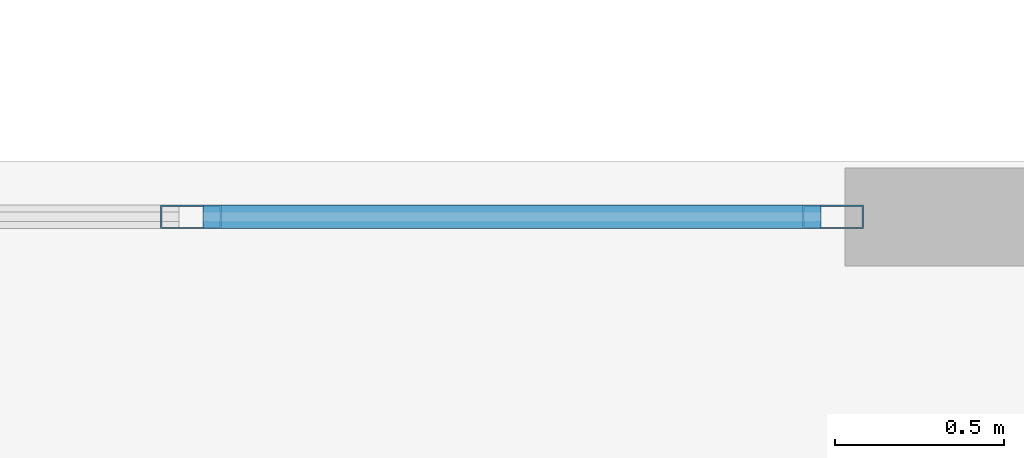
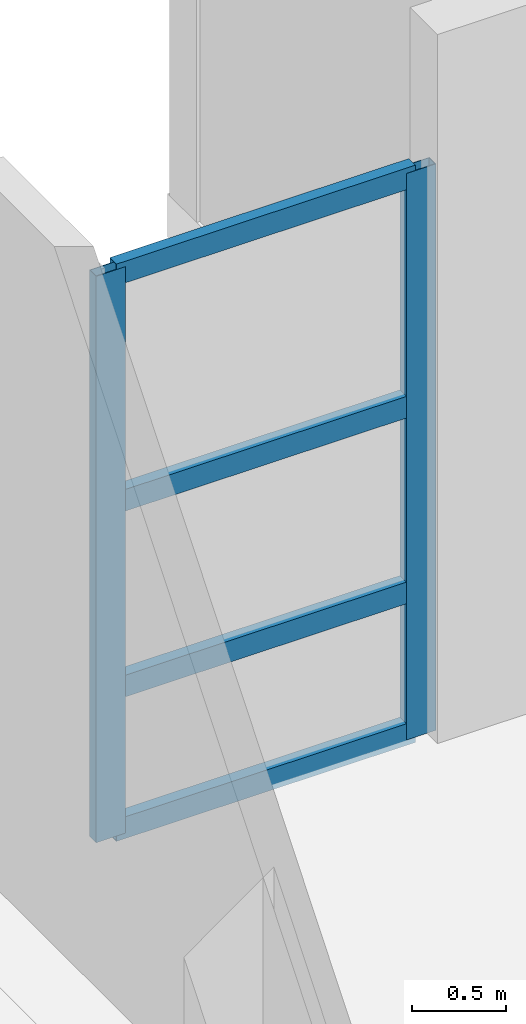
# One storey, part 68 of 123: 6 members, 1 element without a shape of its own.
"""IFC4 building model written with IfcOpenShell, lengths in metres."""

from ifc_helpers import new_model, si_unit, direction, frame, origin, origin_2d, place, context, subcontext, project, spatial, hollow_rectangle, extrude, material, layer, layer_set, material_profile, profile_set, type_object, element, aggregate, save


model = new_model("IFC4")

# Units and contexts
model_context = context("Model", 3, precision=1e-05, world=origin(), true_north=direction((0.0, 1.0)))
body_context = subcontext(model_context, "Body", "Model", "MODEL_VIEW")
ifc_project = project(units=[si_unit("LENGTHUNIT", "METRE"), si_unit("AREAUNIT", "SQUARE_METRE"), si_unit("VOLUMEUNIT", "CUBIC_METRE"), si_unit("PLANEANGLEUNIT", "RADIAN"), si_unit("MASSUNIT", "GRAM", prefix="KILO")], contexts=[model_context])

# Site, building, storey
site_placement = place(None, origin())
site = spatial("IfcSite", under=ifc_project, at=site_placement, CompositionType="ELEMENT")
building_placement = place(site_placement, origin())
building = spatial("IfcBuilding", under=site, at=building_placement, Name="Quendrovan Civic Courthouse", CompositionType="ELEMENT")
storey_placement = place(building_placement, frame((0.0, 0.0, 5.39990234375)))
storey = spatial("IfcBuildingStorey", under=building, at=storey_placement, Name="L02", CompositionType="ELEMENT", Elevation=5.39990234375)

# Curtain wall, members
ifc_material_1 = material(Name="Bronze anodised aluminium and low-E glass", Category="aluminium")
ifc_layer = layer(ifc_material_1, 0.179931640625, Name="Bronze anodised aluminium and low-E glass")
ifc_layer_set = layer_set([ifc_layer], Name="Bronze anodised aluminium and low-E glass")
curtain_wall_type = type_object("IfcCurtainWallType", Name="CW-U58x37", PredefinedType="USERDEFINED", material=ifc_layer_set)
curtain_wall_placement = place(storey_placement, origin())
curtain_wall = element("IfcCurtainWall", 1, at=curtain_wall_placement, inside=storey, type_object=curtain_wall_type, Name="L02 Unitised Hurricane Curtain Wall CW-088", ObjectType="UNITISED CURTAIN WALL", PredefinedType="USERDEFINED")
ifc_material_2 = material(Name="Bronze anodised aluminium", Category="aluminium")
ifc_material_profile_1 = material_profile(ifc_material_2, hollow_rectangle(XDim=0.070068359375, YDim=0.179931640625, WallThickness=0.00390625, at=origin_2d()), Name="CW-MULL-70x180")
ifc_profile_set_1 = profile_set([ifc_material_profile_1], Name="Bronze anodised aluminium")
member_type_1 = type_object("IfcMemberType", Name="CW-MULL-A", PredefinedType="MULLION", material=ifc_profile_set_1)
member_1_placement = place(storey_placement, frame((97.566650390625, 105.43505859375, 0.0), z_axis=(0.0, 0.0, 1.0), x_axis=(0.0, 1.0, 0.0)))
member_1 = element("IfcMember", 2, at=member_1_placement, type_object=member_type_1, Name="CW-088 mullion 3", PredefinedType="MULLION", context=body_context, shape_type="SweptSolid", body=[
    extrude(hollow_rectangle(XDim=0.070068359375, YDim=0.179931640625, WallThickness=0.00390625, at=origin_2d()), origin(), (0.0, 0.0, 1.0), 3.66015625),
])
member_2_placement = place(storey_placement, frame((99.465087890625, 105.43505859375, 0.0), z_axis=(0.0, 0.0, 1.0), x_axis=(0.0, 1.0, 0.0)))
member_2 = element("IfcMember", 3, at=member_2_placement, type_object=member_type_1, Name="CW-088 mullion 4", PredefinedType="MULLION", context=body_context, shape_type="SweptSolid", body=[
    extrude(hollow_rectangle(XDim=0.070068359375, YDim=0.179931640625, WallThickness=0.00390625, at=origin_2d()), origin(), (0.0, 0.0, 1.0), 3.66015625),
])
ifc_material_profile_2 = material_profile(ifc_material_2, hollow_rectangle(XDim=0.070068359375, YDim=0.139892578125, WallThickness=0.00390625, at=origin_2d()), Name="CW-TRAN-70x140")
ifc_profile_set_2 = profile_set([ifc_material_profile_2], Name="Bronze anodised aluminium")
member_type_2 = type_object("IfcMemberType", Name="CW-TRAN-A", PredefinedType="USERDEFINED", material=ifc_profile_set_2)
member_3_placement = place(storey_placement, frame((97.6015625, 105.43505859375, 0.03515625), z_axis=(1.0, 0.0, 0.0), x_axis=(0.0, 1.0, 0.0)))
member_3 = element("IfcMember", 4, at=member_3_placement, type_object=member_type_2, Name="CW-088 transom 3.1", ObjectType="TRANSOM", PredefinedType="USERDEFINED", context=body_context, shape_type="SweptSolid", body=[
    extrude(hollow_rectangle(XDim=0.070068359375, YDim=0.139892578125, WallThickness=0.00390625, at=origin_2d()), origin(), (0.0, 0.0, 1.0), 1.828369140625),
])
member_4_placement = place(storey_placement, frame((97.6015625, 105.43505859375, 0.9501953125), z_axis=(1.0, 0.0, 0.0), x_axis=(0.0, 1.0, 0.0)))
member_4 = element("IfcMember", 5, at=member_4_placement, type_object=member_type_2, Name="CW-088 transom 3.2", ObjectType="TRANSOM", PredefinedType="USERDEFINED", context=body_context, shape_type="SweptSolid", body=[
    extrude(hollow_rectangle(XDim=0.070068359375, YDim=0.139892578125, WallThickness=0.00390625, at=origin_2d()), origin(), (0.0, 0.0, 1.0), 1.828369140625),
])
member_5_placement = place(storey_placement, frame((97.6015625, 105.43505859375, 2.150146484375), z_axis=(1.0, 0.0, 0.0), x_axis=(0.0, 1.0, 0.0)))
member_5 = element("IfcMember", 6, at=member_5_placement, type_object=member_type_2, Name="CW-088 transom 3.3", ObjectType="TRANSOM", PredefinedType="USERDEFINED", context=body_context, shape_type="SweptSolid", body=[
    extrude(hollow_rectangle(XDim=0.070068359375, YDim=0.139892578125, WallThickness=0.00390625, at=origin_2d()), origin(), (0.0, 0.0, 1.0), 1.828369140625),
])
member_6_placement = place(storey_placement, frame((97.6015625, 105.43505859375, 3.625), z_axis=(1.0, 0.0, 0.0), x_axis=(0.0, 1.0, 0.0)))
member_6 = element("IfcMember", 7, at=member_6_placement, type_object=member_type_2, Name="CW-088 transom 3.4", ObjectType="TRANSOM", PredefinedType="USERDEFINED", context=body_context, shape_type="SweptSolid", body=[
    extrude(hollow_rectangle(XDim=0.070068359375, YDim=0.139892578125, WallThickness=0.00390625, at=origin_2d()), origin(), (0.0, 0.0, 1.0), 1.828369140625),
])
aggregate(curtain_wall, [member_1, member_2, member_3, member_4, member_5, member_6])

save(model, "model.ifc")
